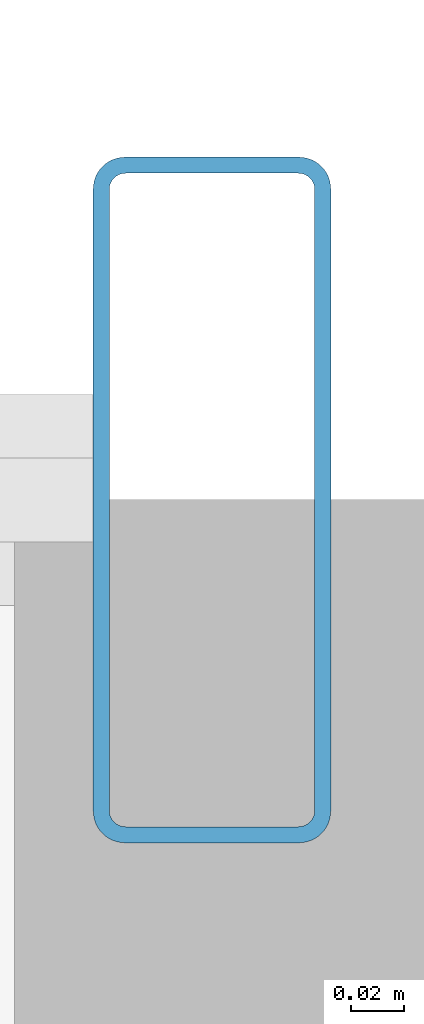
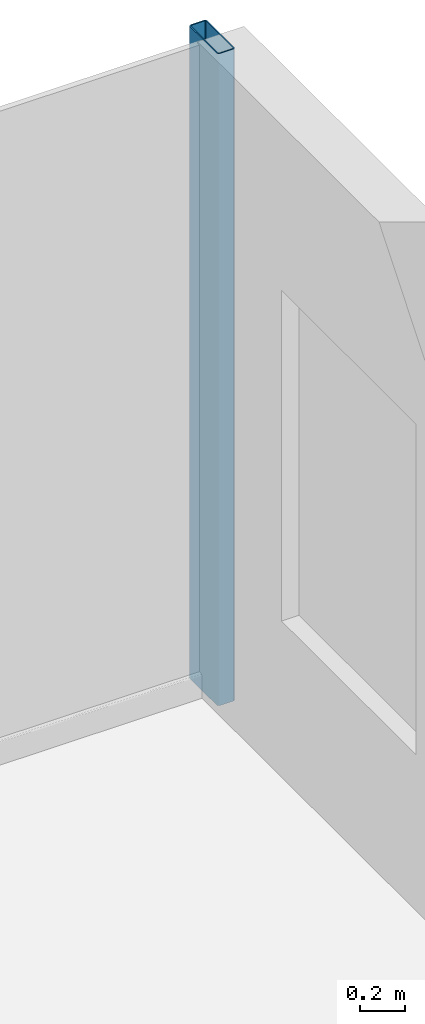
# One storey, part 17 of 29: 1 member, 1 element without a shape of its own.
"""IFC4 building model written with IfcOpenShell, lengths in metres."""

from ifc_helpers import new_model, si_unit, direction, frame, origin, origin_2d, place, context, subcontext, project, spatial, hollow_rectangle, extrude, source, transform, mapped, material, layer, layer_set, material_profile, profile_set, type_object, element, aggregate, save


model = new_model("IFC4")

# Units and contexts
model_context = context("Model", 3, precision=1e-05, world=origin(), true_north=direction((0.0, 1.0)))
body_context = subcontext(model_context, "Body", "Model", "MODEL_VIEW")
ifc_project = project(units=[si_unit("LENGTHUNIT", "METRE"), si_unit("AREAUNIT", "SQUARE_METRE"), si_unit("VOLUMEUNIT", "CUBIC_METRE"), si_unit("PLANEANGLEUNIT", "RADIAN"), si_unit("MASSUNIT", "GRAM", prefix="KILO")], contexts=[model_context])

# Site, building, storey
site_placement = place(None, origin())
site = spatial("IfcSite", under=ifc_project, at=site_placement, CompositionType="ELEMENT")
building_placement = place(site_placement, origin())
building = spatial("IfcBuilding", under=site, at=building_placement, Name="Nefas-Gora Pilgrimage Tower", CompositionType="ELEMENT")
storey_placement = place(building_placement, frame((0.0, 0.0, 44.39990234375)))
storey = spatial("IfcBuildingStorey", under=building, at=storey_placement, Name="L09", CompositionType="ELEMENT", Elevation=44.39990234375)

# Curtain wall, member
ifc_material_1 = material(Name="Dark ceramic-fritted solar-control aluminium-glass curtain wall", Category="aluminium")
ifc_layer = layer(ifc_material_1, 0.219970703125)
ifc_layer_set = layer_set([ifc_layer], Name="Dark ceramic-fritted solar-control aluminium-glass curtain wall")
curtain_wall_type = type_object("IfcCurtainWallType", Name="CW-SYS-2", PredefinedType="NOTDEFINED", material=ifc_layer_set)
curtain_wall_placement = place(storey_placement, origin())
curtain_wall = element("IfcCurtainWall", 1, at=curtain_wall_placement, inside=storey, type_object=curtain_wall_type, Name="L09 Unitised Curtain Wall CW2", PredefinedType="NOTDEFINED")
ifc_material_2 = material(Name="Anodised architectural aluminium", Category="aluminium")
ifc_material_profile = material_profile(ifc_material_2, hollow_rectangle(XDim=0.090087890625, YDim=0.260009765625, WallThickness=0.006103515625, InnerFilletRadius=0.006103515625, OuterFilletRadius=0.011962890625, at=origin_2d()), Name="ALU MULLION 90x260")
ifc_profile_set = profile_set([ifc_material_profile], Name="Anodised architectural aluminium")
member_type = type_object("IfcMemberType", Name="CWM-MUL-2", PredefinedType="MULLION", material=ifc_profile_set)
shared_shape = source(origin(), body_context, "Body", "SweptSolid", [
    extrude(hollow_rectangle(XDim=0.090087890625, YDim=0.260009765625, WallThickness=0.006103515625, InnerFilletRadius=0.006103515625, OuterFilletRadius=0.011962890625, at=origin_2d()), origin(), (0.0, 0.0, 1.0), 3.550048828125),
])
member_placement = place(storey_placement, frame((28.824951171875, 23.02001953125, 0.0), z_axis=(0.0, 0.0, 1.0), x_axis=(-1.0, 0.0, 0.0)))
member = element("IfcMember", 2, at=member_placement, type_object=member_type, Name="CW2 Mullion 1", PredefinedType="MULLION", context=body_context, shape_type="MappedRepresentation", body=[
    mapped(shared_shape, transform((0.0, 0.0, 0.0), x_axis=(1.0, 0.0, 0.0), y_axis=(0.0, 1.0, 0.0), z_axis=(0.0, 0.0, 1.0), scale=1.0)),
])
aggregate(curtain_wall, [member])

save(model, "model.ifc")
